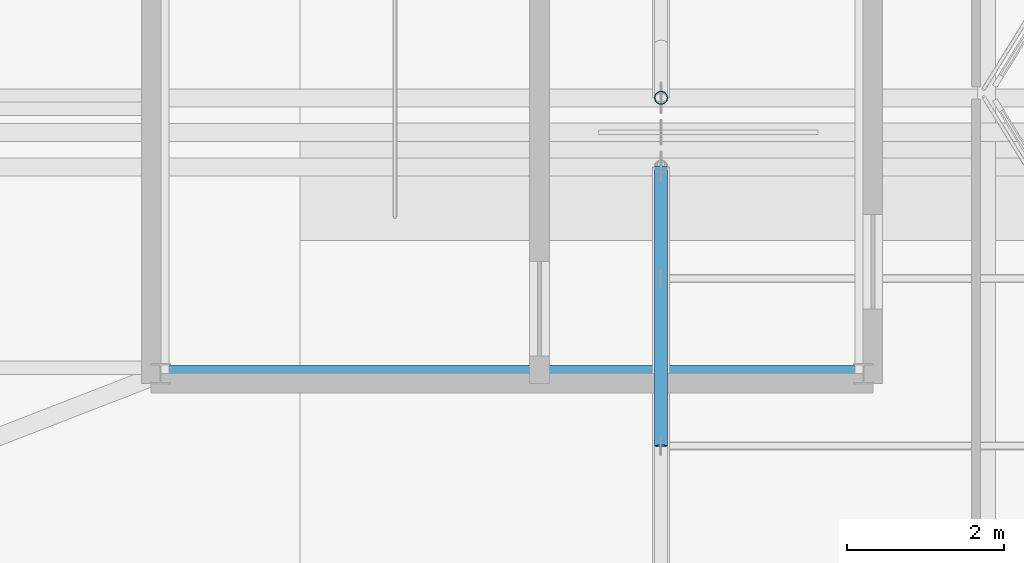
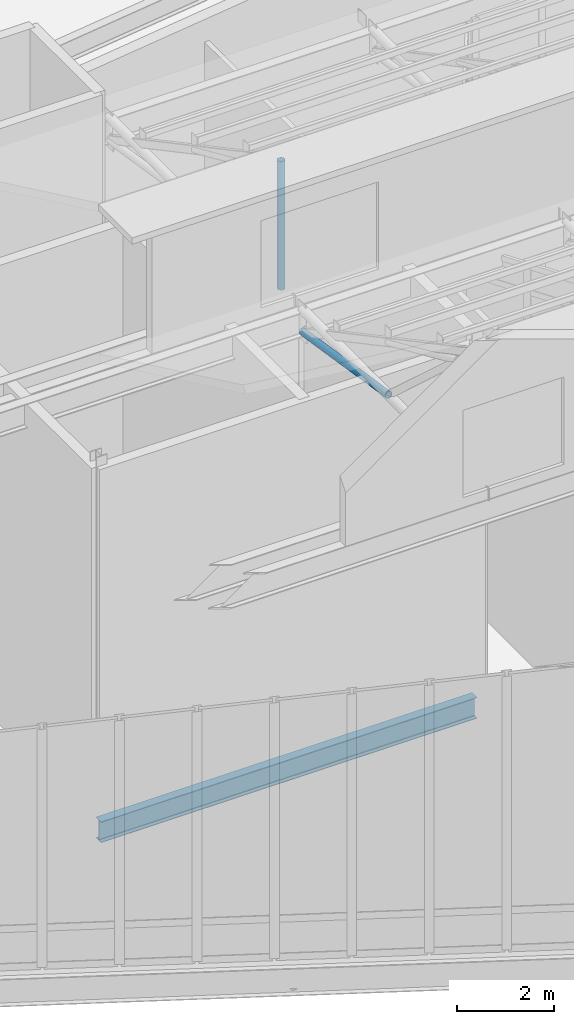
# One storey, part 19 of 66: 2 members, 1 beam.
"""IFC4 building model written with IfcOpenShell, lengths in metres."""

from ifc_helpers import new_model, si_unit, direction, frame, origin, origin_2d, place, context, subcontext, project, spatial, hollow_circle, i_section, extrude, material, material_profile, profile_set, type_object, element, save


model = new_model("IFC4")

# Units and contexts
model_context = context("Model", 3, precision=1e-05, world=origin(), true_north=direction((0.0, 1.0)))
body_context = subcontext(model_context, "Body", "Model", "MODEL_VIEW")
ifc_project = project(units=[si_unit("LENGTHUNIT", "METRE"), si_unit("AREAUNIT", "SQUARE_METRE"), si_unit("VOLUMEUNIT", "CUBIC_METRE"), si_unit("PLANEANGLEUNIT", "RADIAN"), si_unit("MASSUNIT", "GRAM", prefix="KILO")], contexts=[model_context])

# Site, building, storey
site_placement = place(None, origin())
site = spatial("IfcSite", under=ifc_project, at=site_placement, CompositionType="ELEMENT")
building_placement = place(site_placement, origin())
building = spatial("IfcBuilding", under=site, at=building_placement, Name="Tameran Prism Museum", CompositionType="ELEMENT")
storey_placement = place(building_placement, frame((0.0, 0.0, 19.800048828125)))
storey = spatial("IfcBuildingStorey", under=building, at=storey_placement, Name="L04", CompositionType="ELEMENT", Elevation=19.800048828125)

# Beam
ifc_material_1 = material(Name="Steel Grade 300PLUS (300 MPa)", Category="steel")
ifc_material_profile_1 = material_profile(ifc_material_1, i_section(OverallWidth=0.208984375, OverallDepth=0.528076171875, WebThickness=0.009521484375, FlangeThickness=0.01318359375, FilletRadius=0.013916015625, at=origin_2d()))
ifc_profile_set_1 = profile_set([ifc_material_profile_1])
beam_type = type_object("IfcBeamType", Name="BM-SP530B", PredefinedType="SPANDREL", material=ifc_profile_set_1)
beam_placement = place(storey_placement, frame((58.02001953125, 32.919921875, -0.504150390625), z_axis=(1.0, 0.0, 0.0), x_axis=(0.0, 1.0, 0.0)))
element("IfcBeam", 1, at=beam_placement, inside=storey, type_object=beam_type, Name="Core Ring Beam CTB-1189", PredefinedType="SPANDREL", context=body_context, shape_type="SweptSolid", body=[
    extrude(i_section(OverallWidth=0.208984375, OverallDepth=0.528076171875, WebThickness=0.009521484375, FlangeThickness=0.01318359375, FilletRadius=0.013916015625, at=origin_2d()), origin(), (0.0, 0.0, 1.0), 8.9599609375),
])

# Members
ifc_material_2 = material(Name="Steel Grade C350L0 (350 MPa)", Category="steel")
ifc_material_profile_2 = material_profile(ifc_material_2, hollow_circle(Radius=0.084228515625, WallThickness=0.007080078125, at=origin_2d()))
ifc_profile_set_2 = profile_set([ifc_material_profile_2])
member_type = type_object("IfcMemberType", Name="MM-BR-CHS168", PredefinedType="BRACE", material=ifc_profile_set_2)
member_1_placement = place(storey_placement, frame((64.39990234375, 32.0, 8.785888671875), z_axis=(0.0, 0.987767358806, -0.155934745575), x_axis=(-1.0, 0.0, 0.0)))
element("IfcMember", 2, at=member_1_placement, inside=storey, type_object=member_type, Name="Sawtooth Brace STM-0167", PredefinedType="BRACE", context=body_context, shape_type="SweptSolid", body=[
    extrude(hollow_circle(Radius=0.084228515625, WallThickness=0.007080078125, at=origin_2d()), origin(), (0.0, 0.0, 1.0), 3.604248046875),
])
member_2_placement = place(storey_placement, frame((64.39990234375, 36.43994140625, 8.785888671875), z_axis=(0.0, 0.0, 1.0), x_axis=(1.0, 0.0, 0.0)))
element("IfcMember", 3, at=member_2_placement, inside=storey, type_object=member_type, Name="Sawtooth Brace STM-0192", PredefinedType="BRACE", context=body_context, shape_type="SweptSolid", body=[
    extrude(hollow_circle(Radius=0.084228515625, WallThickness=0.007080078125, at=origin_2d()), origin(), (0.0, 0.0, 1.0), 3.238037109375),
])

save(model, "model.ifc")
